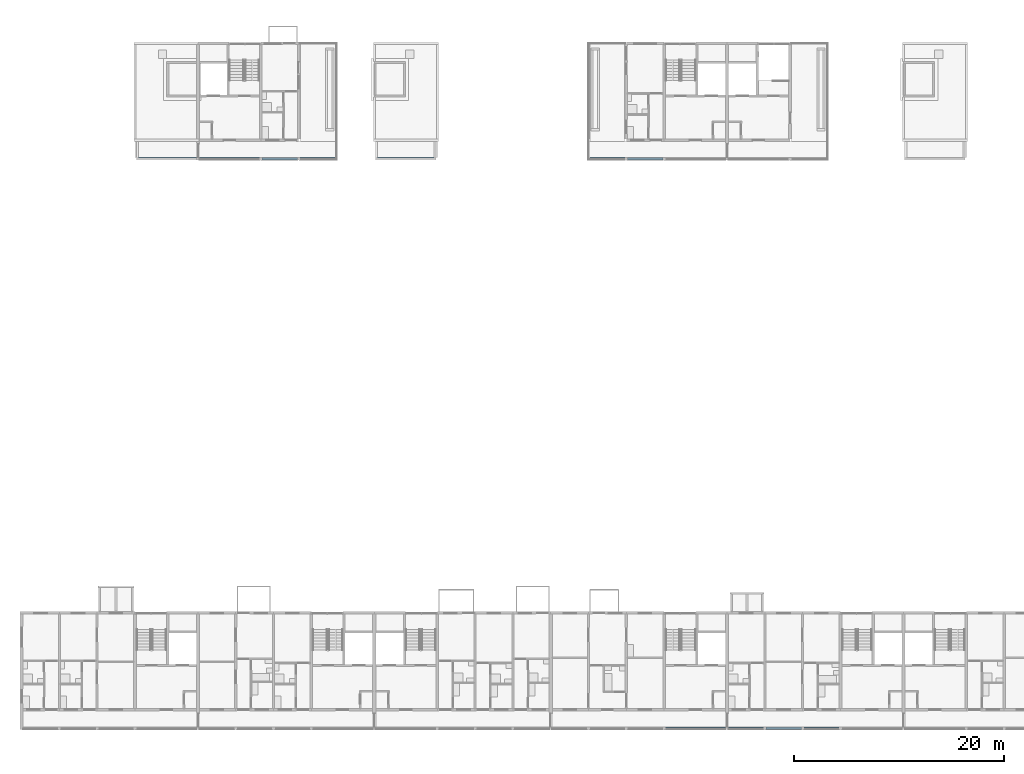
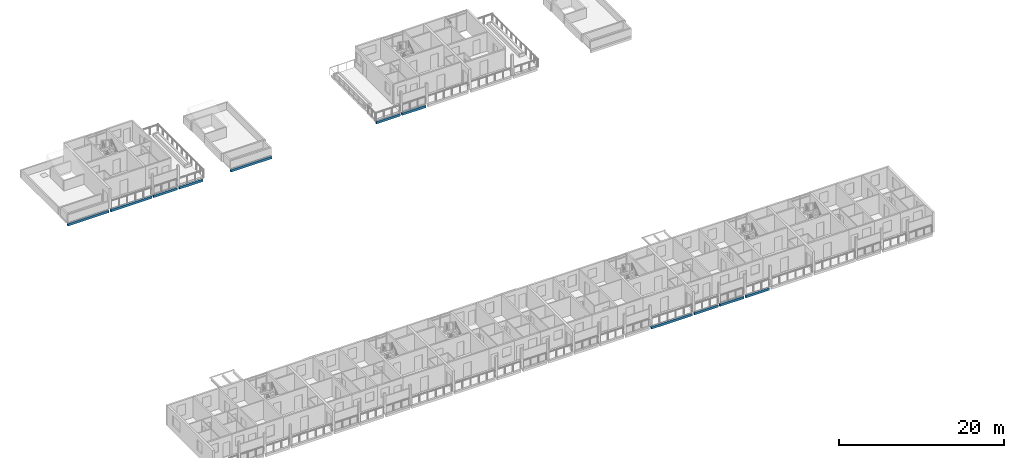
# One storey, part 8 of 87: 11 beams.
"""IFC4 building model written with IfcOpenShell, lengths in metres."""

from ifc_helpers import new_model, si_unit, direction, frame, origin, origin_2d, place, context, subcontext, project, spatial, rectangle, extrude, material, material_profile, profile_set, type_object, element, save


model = new_model("IFC4")

# Units and contexts
model_context = context("Model", 3, precision=1e-05, world=origin(), true_north=direction((0.0, 1.0)))
body_context = subcontext(model_context, "Body", "Model", "MODEL_VIEW")
ifc_project = project(units=[si_unit("LENGTHUNIT", "METRE"), si_unit("AREAUNIT", "SQUARE_METRE"), si_unit("VOLUMEUNIT", "CUBIC_METRE"), si_unit("PLANEANGLEUNIT", "RADIAN"), si_unit("MASSUNIT", "GRAM", prefix="KILO")], contexts=[model_context])

# Site, building, storey
site_placement = place(None, origin())
site = spatial("IfcSite", under=ifc_project, at=site_placement, CompositionType="ELEMENT")
building_placement = place(site_placement, origin())
building = spatial("IfcBuilding", under=site, at=building_placement, Name="Ridgestep Commons", CompositionType="ELEMENT")
storey_placement = place(building_placement, frame((0.0, 0.0, 27.0)))
storey = spatial("IfcBuildingStorey", under=building, at=storey_placement, Name="L09", CompositionType="ELEMENT", Elevation=27.0)

# Beams
ifc_material = material(Name="Precast concrete C40/50", Category="concrete")
ifc_material_profile = material_profile(ifc_material, rectangle(XDim=0.25, YDim=0.35009765625, at=origin_2d()), Name="PC 250x350")
ifc_profile_set = profile_set([ifc_material_profile], Name="Precast concrete C40/50")
beam_type = type_object("IfcBeamType", Name="Loggia edge beam 250 x 350", PredefinedType="SPANDREL", material=ifc_profile_set)
beam_1_placement = place(storey_placement, frame((73.324951171875, 11.875, -0.375), z_axis=(1.0, 0.0, 0.0), x_axis=(0.0, 1.0, 0.0)))
element("IfcBeam", 1, at=beam_1_placement, inside=storey, type_object=beam_type, Name="Loggia edge beam A4C L09", PredefinedType="SPANDREL", context=body_context, shape_type="SweptSolid", body=[
    extrude(rectangle(XDim=0.25, YDim=0.35009765625, at=origin_2d()), origin(), (0.0, 0.0, 1.0), 5.72509765625),
])
beam_2_placement = place(storey_placement, frame((79.35009765625, 11.875, -0.375), z_axis=(1.0, 0.0, 0.0), x_axis=(0.0, 1.0, 0.0)))
element("IfcBeam", 2, at=beam_2_placement, inside=storey, type_object=beam_type, Name="Loggia edge beam A5T1 L09", PredefinedType="SPANDREL", context=body_context, shape_type="SweptSolid", body=[
    extrude(rectangle(XDim=0.25, YDim=0.35009765625, at=origin_2d()), origin(), (0.0, 0.0, 1.0), 3.324951171875),
])
beam_3_placement = place(storey_placement, frame((82.925048828125, 11.875, -0.375), z_axis=(1.0, 0.0, 0.0), x_axis=(0.0, 1.0, 0.0)))
element("IfcBeam", 3, at=beam_3_placement, inside=storey, type_object=beam_type, Name="Loggia edge beam A5T2 L09", PredefinedType="SPANDREL", context=body_context, shape_type="SweptSolid", body=[
    extrude(rectangle(XDim=0.25, YDim=0.35009765625, at=origin_2d()), origin(), (0.0, 0.0, 1.0), 3.349853515625),
])
beam_4_placement = place(storey_placement, frame((86.52490234375, 11.875, -0.375), z_axis=(1.0, 0.0, 0.0), x_axis=(0.0, 1.0, 0.0)))
element("IfcBeam", 4, at=beam_4_placement, inside=storey, type_object=beam_type, Name="Loggia edge beam A5T3 L09", PredefinedType="SPANDREL", context=body_context, shape_type="SweptSolid", body=[
    extrude(rectangle(XDim=0.25, YDim=0.35009765625, at=origin_2d()), origin(), (0.0, 0.0, 1.0), 3.35009765625),
])
beam_5_placement = place(storey_placement, frame((22.925048828125, 66.125, -0.375), z_axis=(1.0, 0.0, 0.0), x_axis=(0.0, 1.0, 0.0)))
element("IfcBeam", 5, at=beam_5_placement, inside=storey, type_object=beam_type, Name="Loggia edge beam B1C L09", PredefinedType="SPANDREL", context=body_context, shape_type="SweptSolid", body=[
    extrude(rectangle(XDim=0.25, YDim=0.35009765625, at=origin_2d()), origin(), (0.0, 0.0, 1.0), 5.724853515625),
])
beam_6_placement = place(storey_placement, frame((28.949951171875, 66.125, -0.375), z_axis=(1.0, 0.0, 0.0), x_axis=(0.0, 1.0, 0.0)))
element("IfcBeam", 6, at=beam_6_placement, inside=storey, type_object=beam_type, Name="Loggia edge beam B2C L09", PredefinedType="SPANDREL", context=body_context, shape_type="SweptSolid", body=[
    extrude(rectangle(XDim=0.25, YDim=0.35009765625, at=origin_2d()), origin(), (0.0, 0.0, 1.0), 5.72509765625),
])
beam_7_placement = place(storey_placement, frame((34.925048828125, 66.125, -0.375), z_axis=(1.0, 0.0, 0.0), x_axis=(0.0, 1.0, 0.0)))
element("IfcBeam", 7, at=beam_7_placement, inside=storey, type_object=beam_type, Name="Loggia edge beam B2T3 L09", PredefinedType="SPANDREL", context=body_context, shape_type="SweptSolid", body=[
    extrude(rectangle(XDim=0.25, YDim=0.35009765625, at=origin_2d()), origin(), (0.0, 0.0, 1.0), 3.349853515625),
])
beam_8_placement = place(storey_placement, frame((38.52490234375, 66.125, -0.375), z_axis=(1.0, 0.0, 0.0), x_axis=(0.0, 1.0, 0.0)))
element("IfcBeam", 8, at=beam_8_placement, inside=storey, type_object=beam_type, Name="Loggia edge beam B2T2 L09", PredefinedType="SPANDREL", context=body_context, shape_type="SweptSolid", body=[
    extrude(rectangle(XDim=0.25, YDim=0.35009765625, at=origin_2d()), origin(), (0.0, 0.0, 1.0), 3.35009765625),
])
beam_9_placement = place(storey_placement, frame((45.75, 66.125, -0.375), z_axis=(1.0, 0.0, 0.0), x_axis=(0.0, 1.0, 0.0)))
element("IfcBeam", 9, at=beam_9_placement, inside=storey, type_object=beam_type, Name="Loggia edge beam B3C L09", PredefinedType="SPANDREL", context=body_context, shape_type="SweptSolid", body=[
    extrude(rectangle(XDim=0.25, YDim=0.35009765625, at=origin_2d()), origin(), (0.0, 0.0, 1.0), 5.72509765625),
])
beam_10_placement = place(storey_placement, frame((66.125, 66.125, -0.375), z_axis=(1.0, 0.0, 0.0), x_axis=(0.0, 1.0, 0.0)))
element("IfcBeam", 10, at=beam_10_placement, inside=storey, type_object=beam_type, Name="Loggia edge beam B4T2 L09", PredefinedType="SPANDREL", context=body_context, shape_type="SweptSolid", body=[
    extrude(rectangle(XDim=0.25, YDim=0.35009765625, at=origin_2d()), origin(), (0.0, 0.0, 1.0), 3.35009765625),
])
beam_11_placement = place(storey_placement, frame((69.72509765625, 66.125, -0.375), z_axis=(1.0, 0.0, 0.0), x_axis=(0.0, 1.0, 0.0)))
element("IfcBeam", 11, at=beam_11_placement, inside=storey, type_object=beam_type, Name="Loggia edge beam B4T3 L09", PredefinedType="SPANDREL", context=body_context, shape_type="SweptSolid", body=[
    extrude(rectangle(XDim=0.25, YDim=0.35009765625, at=origin_2d()), origin(), (0.0, 0.0, 1.0), 3.349853515625),
])

save(model, "model.ifc")
